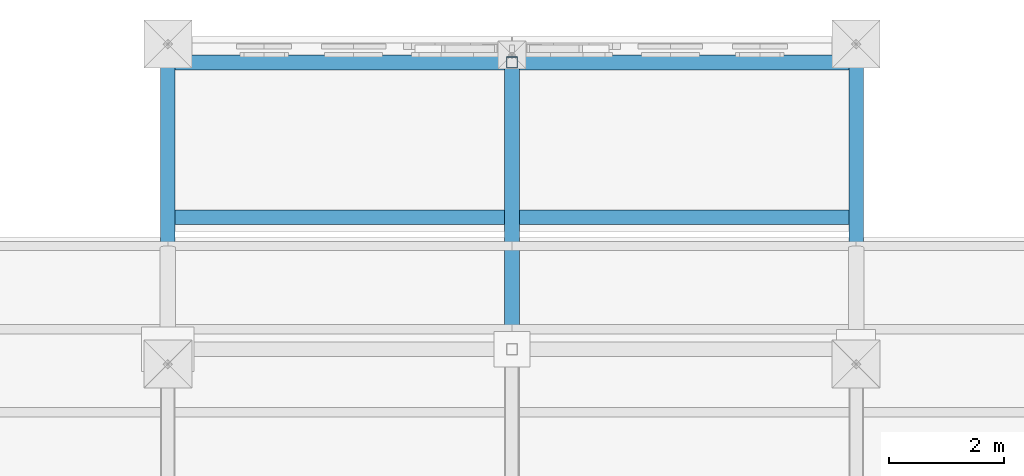
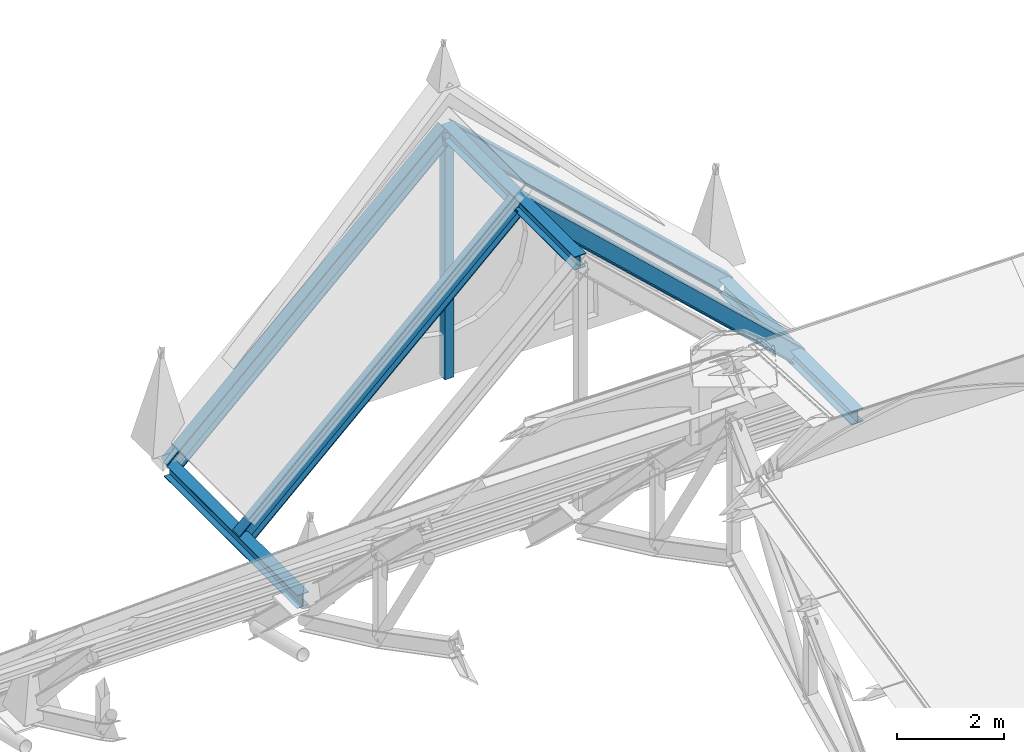
# One storey, part 12 of 33: 8 members.
"""IFC4 building model written with IfcOpenShell, lengths in metres."""

import ifcopenshell
import ifcopenshell.guid

model = None  # the IFC model being written
_history = None  # IfcOwnerHistory: only IFC2X3 demands one
_inside = {}  # id of a spatial element -> (the spatial element, [elements in it])
_under = {}  # id of a project, library or spatial element -> (it, [spatial elements below it])
_declared = {}  # id of a project -> (the project, [libraries it declares])
_typed = {}  # id of a type object -> (the type object, [elements of that type])
_made_of = {}  # id of a material, layer set ... -> (it, [elements and type objects made of it])


def new_model(schema):
    """Start an empty IFC model of exactly this schema.

    Asked for "IFC4X3", IfcOpenShell would pick the latest addendum, in which some entities
    have other attributes; the version numbers below select the first issue.
    IFC2X3 requires an IfcOwnerHistory on every rooted entity: one is made here for all.
    """
    global model, _history
    if schema == "IFC4X3":
        model = ifcopenshell.file(schema_version=(4, 3, 0, 0))
    else:
        model = ifcopenshell.file(schema=schema)
    _inside.clear()
    _under.clear()
    _declared.clear()
    _typed.clear()
    _made_of.clear()
    _history = None
    if model.schema == "IFC2X3":
        org = make("IfcOrganization", Name="unknown")
        user = make(
            "IfcPersonAndOrganization",
            ThePerson=make("IfcPerson", FamilyName="unknown"),
            TheOrganization=org,
        )
        app = make(
            "IfcApplication",
            ApplicationDeveloper=org,
            Version="unknown",
            ApplicationFullName="unknown",
            ApplicationIdentifier="unknown",
        )
        _history = make(
            "IfcOwnerHistory",
            OwningUser=user,
            OwningApplication=app,
            ChangeAction="ADDED",
            CreationDate=0,
        )
    return model


def make(cls, **values):
    """One entity of the class cls with the attributes given. An attribute that is None is left unset."""
    return model.create_entity(
        cls, **{name: value for name, value in values.items() if value is not None}
    )


def rooted(cls, **values):
    """An entity with a GlobalId (a new one), such as an element, a storey or a relation."""
    return make(cls, GlobalId=ifcopenshell.guid.new(), OwnerHistory=_history, **values)


def si_unit(unit_type, name, prefix=None):
    """IfcSIUnit, for example si_unit("LENGTHUNIT", "METRE", prefix="MILLI")."""
    return make("IfcSIUnit", UnitType=unit_type, Prefix=prefix, Name=name)


def assignment(units):
    """IfcUnitAssignment: the units of a project."""
    return None if units is None else make("IfcUnitAssignment", Units=units)


def point(xyz):
    """IfcCartesianPoint."""
    return None if xyz is None else make("IfcCartesianPoint", Coordinates=xyz)


def direction(xyz):
    """IfcDirection."""
    return None if xyz is None else make("IfcDirection", DirectionRatios=xyz)


def frame(location, z_axis=None, x_axis=None):
    """IfcAxis2Placement3D, a coordinate frame: its origin and axes. An axis left out is left unset."""
    return make(
        "IfcAxis2Placement3D",
        Location=point(location),
        Axis=direction(z_axis),
        RefDirection=direction(x_axis),
    )


def frame_2d(location, x_axis=None):
    """IfcAxis2Placement2D, a coordinate frame in the plane: its origin and x axis."""
    return make(
        "IfcAxis2Placement2D", Location=point(location), RefDirection=direction(x_axis)
    )


def origin():
    """The frame at (0, 0, 0) with its axes left unset."""
    return frame((0.0, 0.0, 0.0))


def origin_2d():
    """The frame at (0, 0) in the plane with its x axis left unset."""
    return frame_2d((0.0, 0.0))


def place(relative_to, where):
    """IfcLocalPlacement: puts the frame where relative to a parent placement (None: the world)."""
    return make(
        "IfcLocalPlacement", PlacementRelTo=relative_to, RelativePlacement=where
    )


def context(
    kind, dimensions, precision=None, world=None, true_north=None, identifier=None
):
    """IfcGeometricRepresentationContext, for example the 3D "Model" context."""
    return make(
        "IfcGeometricRepresentationContext",
        ContextIdentifier=identifier,
        ContextType=kind,
        CoordinateSpaceDimension=dimensions,
        Precision=precision,
        WorldCoordinateSystem=world,
        TrueNorth=true_north,
    )


def subcontext(parent, identifier, kind, view, scale=None):
    """IfcGeometricRepresentationSubContext, for example "Body" below "Model"."""
    return make(
        "IfcGeometricRepresentationSubContext",
        ContextIdentifier=identifier,
        ContextType=kind,
        ParentContext=parent,
        TargetScale=scale,
        TargetView=view,
    )


def project(units=None, contexts=None):
    """IfcProject with its units and contexts."""
    return rooted(
        "IfcProject",
        Name="project",
        RepresentationContexts=contexts,
        UnitsInContext=assignment(units),
    )


def spatial(cls, under=None, at=None, **own):
    """A site, building, storey or space (cls), placed at a placement, below another one or the project."""
    s = rooted(cls, ObjectPlacement=at, **own)
    if under is not None:
        _under.setdefault(under.id(), (under, []))[1].append(s)
    return s


def profile(cls, at=None, kind="AREA", **sizes):
    """A parametric profile (cls). Its sizes go by their IFC names, for example OverallWidth=200.0."""
    return make(cls, ProfileType=kind, Position=at, **sizes)


def hollow_rectangle(**sizes):
    """IfcRectangleHollowProfileDef."""
    return profile("IfcRectangleHollowProfileDef", **sizes)


def i_section(**sizes):
    """IfcIShapeProfileDef."""
    return profile("IfcIShapeProfileDef", **sizes)


def extrude(swept, where, along, depth):
    """IfcExtrudedAreaSolid: the profile swept, set in the frame where, extruded along a direction by depth."""
    return make(
        "IfcExtrudedAreaSolid",
        SweptArea=swept,
        Position=where,
        ExtrudedDirection=direction(along),
        Depth=depth,
    )


def shape(context_of_items, identifier, shape_type, items):
    """IfcShapeRepresentation: the items that make up one representation, for example the "Body"."""
    return make(
        "IfcShapeRepresentation",
        ContextOfItems=context_of_items,
        RepresentationIdentifier=identifier,
        RepresentationType=shape_type,
        Items=items,
    )


def material(Name=None, Category=None):
    """IfcMaterial."""
    return make("IfcMaterial", Name=Name, Category=Category)


def material_profile(
    of_material, cross_section, Name=None, Category=None, Priority=None
):
    """IfcMaterialProfile: a cross section and its material."""
    return make(
        "IfcMaterialProfile",
        Name=Name,
        Material=of_material,
        Profile=cross_section,
        Priority=Priority,
        Category=Category,
    )


def profile_set(profiles, Name=None, composite=None):
    """IfcMaterialProfileSet."""
    return make(
        "IfcMaterialProfileSet",
        Name=Name,
        MaterialProfiles=profiles,
        CompositeProfile=composite,
    )


def made_of(thing, what):
    """Note that an element or type object is made of a material, layer set ...; save() writes the relation."""
    if what is not None:
        _made_of.setdefault(what.id(), (what, []))[1].append(thing)
    return thing


def type_object(cls, material=None, **own):
    """A type object (cls), such as IfcWallType, which elements share."""
    return made_of(rooted(cls, **own), material)


def element(
    cls,
    number,
    at=None,
    inside=None,
    cuts=None,
    type_object=None,
    material=None,
    context=None,
    identifier="Body",
    shape_type=None,
    held_by="IfcProductDefinitionShape",
    body=None,
    shapes=None,
    **own,
):
    """One element of the class cls, such as IfcWall. Its Tag is "e" and its number.

    at: its placement. inside: the storey or other place that contains it. cuts: it is an
    opening in that element (IfcRelVoidsElement). A single representation is given by context,
    identifier, shape_type and body (its items); several are given by shapes. held_by: the class
    of the entity that holds the representations. save() writes the other relations.
    """
    e = rooted(cls, Tag="e%d" % number, ObjectPlacement=at, **own)
    if body is not None:
        shapes = [shape(context, identifier, shape_type, body)]
    if shapes is not None:
        e.Representation = make(held_by, Representations=shapes)
    if inside is not None:
        _inside.setdefault(inside.id(), (inside, []))[1].append(e)
    if cuts is not None:
        rooted(
            "IfcRelVoidsElement", RelatingBuildingElement=cuts, RelatedOpeningElement=e
        )
    if type_object is not None:
        _typed.setdefault(type_object.id(), (type_object, []))[1].append(e)
    return made_of(e, material)


def aggregate(whole, parts):
    """IfcRelAggregates: a whole, such as a stair, and the parts it consists of."""
    return rooted("IfcRelAggregates", RelatingObject=whole, RelatedObjects=parts)


def save(model, path):
    """Write the relations noted so far, then the file.

    IfcRelAggregates (storeys below a building ...), IfcRelContainedInSpatialStructure (elements
    in a storey), IfcRelDefinesByType, IfcRelAssociatesMaterial and IfcRelDeclares: one each for
    every whole, place, type object, material and project.
    """
    for whole, parts in _under.values():
        aggregate(whole, parts)
    for where, things in _inside.values():
        rooted(
            "IfcRelContainedInSpatialStructure",
            RelatedElements=things,
            RelatingStructure=where,
        )
    for kind, things in _typed.values():
        rooted("IfcRelDefinesByType", RelatedObjects=things, RelatingType=kind)
    for what, things in _made_of.values():
        rooted("IfcRelAssociatesMaterial", RelatedObjects=things, RelatingMaterial=what)
    for by, libraries in _declared.values():
        rooted("IfcRelDeclares", RelatingContext=by, RelatedDefinitions=libraries)
    model.write(path)


model = new_model("IFC4")

# Units and contexts
model_context = context("Model", 3, precision=1e-05, world=origin(), true_north=direction((0.0, 1.0)))
body_context = subcontext(model_context, "Body", "Model", "MODEL_VIEW")
ifc_project = project(units=[si_unit("LENGTHUNIT", "METRE"), si_unit("AREAUNIT", "SQUARE_METRE"), si_unit("VOLUMEUNIT", "CUBIC_METRE"), si_unit("PLANEANGLEUNIT", "RADIAN"), si_unit("MASSUNIT", "GRAM", prefix="KILO")], contexts=[model_context])

# Site, building, storey
site_placement = place(None, origin())
site = spatial("IfcSite", under=ifc_project, at=site_placement, CompositionType="ELEMENT")
building_placement = place(site_placement, origin())
building = spatial("IfcBuilding", under=site, at=building_placement, Name="Cumevento Cable Car Station", CompositionType="ELEMENT")
storey_placement = place(building_placement, frame((0.0, 0.0, 22.5)))
storey = spatial("IfcBuildingStorey", under=building, at=storey_placement, Name="RF", CompositionType="ELEMENT", Elevation=22.5)

# Members
ifc_material_1 = material(Name="Steel ASTM A572 Grade 50", Category="steel")
ifc_material_profile_1 = material_profile(ifc_material_1, i_section(OverallWidth=0.257080078125, OverallDepth=0.363037109375, WebThickness=0.012939453125, FlangeThickness=0.021728515625, at=origin_2d()), Name="W360x122.0")
ifc_profile_set_1 = profile_set([ifc_material_profile_1], Name="Steel ASTM A572 Grade 50")
member_type_1 = type_object("IfcMemberType", Name="Framing Chord TC-01 W360x122.0", PredefinedType="CHORD", material=ifc_profile_set_1)
for number, where, z_axis, x_axis, name in (
    (1, (88.0, 58.800048828125, 0.64990234375), (0.731346142864, 0.0, 0.682006465745), (0.0, 1.0, 0.0), "North Uphill Summit Ropeway Cabin Portal Canopy West Rafter #456"),
    (2, (100.0, 58.800048828125, 0.64990234375), (-0.731346142864, 0.0, 0.682006465745), (0.0, -1.0, 0.0), "North Uphill Summit Ropeway Cabin Portal Canopy East Rafter #457"),
    (3, (88.0, 61.5, 0.64990234375), (0.731346142864, 0.0, 0.682006465745), (0.0, 1.0, 0.0), "North Uphill Summit Ropeway Cabin Portal Canopy West Rafter #459"),
    (4, (100.0, 61.5, 0.64990234375), (-0.731346142864, 0.0, 0.682006465745), (0.0, -1.0, 0.0), "North Uphill Summit Ropeway Cabin Portal Canopy East Rafter #460"),
):
    element("IfcMember", number, at=place(storey_placement, frame(where, z_axis=z_axis, x_axis=x_axis)), inside=storey, type_object=member_type_1, Name=name, PredefinedType="CHORD", context=body_context, shape_type="SweptSolid", body=[
        extrude(i_section(OverallWidth=0.257080078125, OverallDepth=0.363037109375, WebThickness=0.012939453125, FlangeThickness=0.021728515625, at=origin_2d()), origin(), (0.0, 0.0, 1.0), 8.2041015625),
    ])
ifc_material_2 = material(Name="Steel ASTM A572 Grade 50", Category="steel")
ifc_material_profile_2 = material_profile(ifc_material_2, i_section(OverallWidth=0.25390625, OverallDepth=0.305908203125, WebThickness=0.0087890625, FlangeThickness=0.0146484375, at=origin_2d()), Name="W310x79.0")
ifc_profile_set_2 = profile_set([ifc_material_profile_2], Name="Steel ASTM A572 Grade 50")
member_type_2 = type_object("IfcMemberType", Name="Framing Chord TC-03 W310x79.0", PredefinedType="CHORD", material=ifc_profile_set_2)
for number, where, z_axis, x_axis, name in (
    (5, (88.0, 56.5, 0.60009765625), (0.0, 1.0, 0.0), (-1.0, 0.0, 0.0), "North Uphill Summit Ropeway Cabin Portal Canopy Eave Beam #451"),
    (6, (100.0, 56.5, 0.60009765625), (0.0, 1.0, 0.0), (-1.0, 0.0, 0.0), "North Uphill Summit Ropeway Cabin Portal Canopy Eave Beam #452"),
    (7, (94.0, 56.5, 6.2451171875), (0.0, 1.0, 0.0), (-1.0, 0.0, 0.0), "North Uphill Summit Ropeway Cabin Portal Canopy Ridge Beam #461"),
):
    element("IfcMember", number, at=place(storey_placement, frame(where, z_axis=z_axis, x_axis=x_axis)), inside=storey, type_object=member_type_2, Name=name, PredefinedType="CHORD", context=body_context, shape_type="SweptSolid", body=[
        extrude(i_section(OverallWidth=0.25390625, OverallDepth=0.305908203125, WebThickness=0.0087890625, FlangeThickness=0.0146484375, at=origin_2d()), origin(), (0.0, 0.0, 1.0), 5.0),
    ])
ifc_material_3 = material(Name="Steel ASTM A572 Grade 50", Category="steel")
ifc_material_profile_3 = material_profile(ifc_material_3, hollow_rectangle(XDim=0.199951171875, YDim=0.199951171875, WallThickness=0.012451171875, at=origin_2d()), Name="HSS200x200x12.5")
ifc_profile_set_3 = profile_set([ifc_material_profile_3], Name="Steel ASTM A572 Grade 50")
member_type_3 = type_object("IfcMemberType", Name="Framing Post TD-03 HSS200x200x12.5", PredefinedType="POST", material=ifc_profile_set_3)
member_placement = place(storey_placement, frame((94.0, 61.5, 0.60009765625), z_axis=(0.0, 0.0, 1.0), x_axis=(1.0, 0.0, 0.0)))
element("IfcMember", 8, at=member_placement, inside=storey, type_object=member_type_3, Name="North Uphill Summit Ropeway Cabin Portal Canopy Kingpost #458", PredefinedType="POST", context=body_context, shape_type="SweptSolid", body=[
    extrude(hollow_rectangle(XDim=0.199951171875, YDim=0.199951171875, WallThickness=0.012451171875, at=origin_2d()), origin(), (0.0, 0.0, 1.0), 5.64501953125),
])

save(model, "model.ifc")
